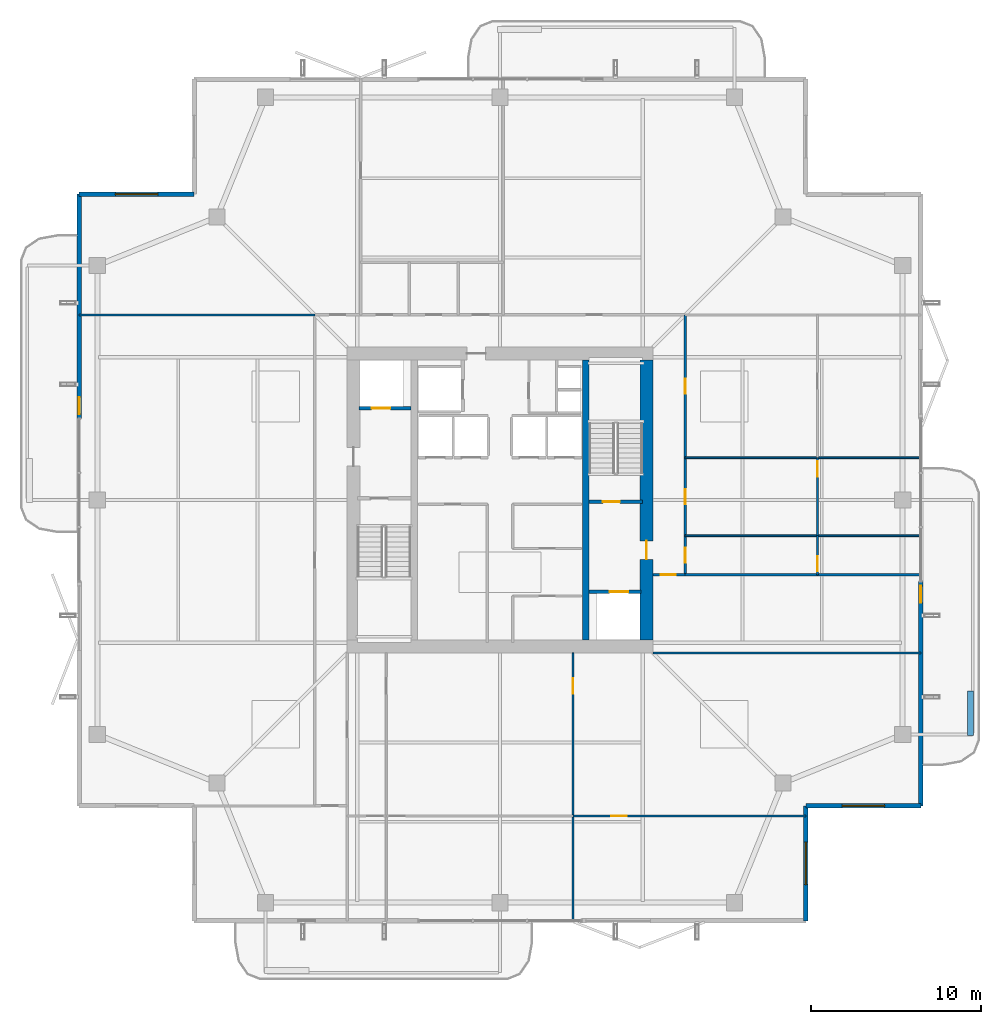
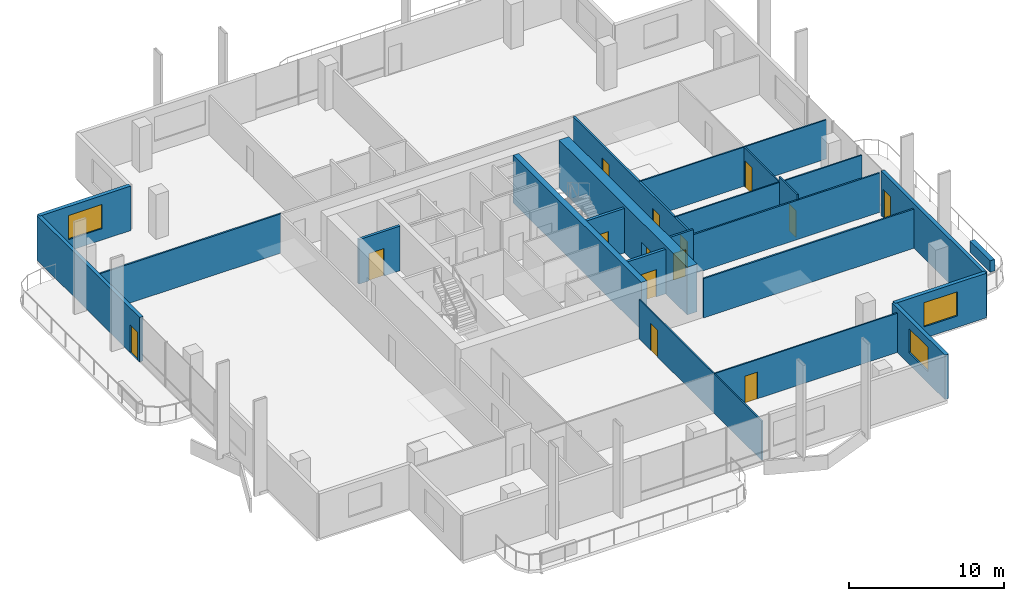
# One storey, part 19 of 25: 22 walls, 14 doors, 3 windows, 17 openings.
"""IFC4 building model written with IfcOpenShell, lengths in metres."""

import ifcopenshell
import ifcopenshell.guid

model = None  # the IFC model being written
_history = None  # IfcOwnerHistory: only IFC2X3 demands one
_inside = {}  # id of a spatial element -> (the spatial element, [elements in it])
_under = {}  # id of a project, library or spatial element -> (it, [spatial elements below it])
_declared = {}  # id of a project -> (the project, [libraries it declares])
_typed = {}  # id of a type object -> (the type object, [elements of that type])
_made_of = {}  # id of a material, layer set ... -> (it, [elements and type objects made of it])


def new_model(schema):
    """Start an empty IFC model of exactly this schema.

    Asked for "IFC4X3", IfcOpenShell would pick the latest addendum, in which some entities
    have other attributes; the version numbers below select the first issue.
    IFC2X3 requires an IfcOwnerHistory on every rooted entity: one is made here for all.
    """
    global model, _history
    if schema == "IFC4X3":
        model = ifcopenshell.file(schema_version=(4, 3, 0, 0))
    else:
        model = ifcopenshell.file(schema=schema)
    _inside.clear()
    _under.clear()
    _declared.clear()
    _typed.clear()
    _made_of.clear()
    _history = None
    if model.schema == "IFC2X3":
        org = make("IfcOrganization", Name="unknown")
        user = make(
            "IfcPersonAndOrganization",
            ThePerson=make("IfcPerson", FamilyName="unknown"),
            TheOrganization=org,
        )
        app = make(
            "IfcApplication",
            ApplicationDeveloper=org,
            Version="unknown",
            ApplicationFullName="unknown",
            ApplicationIdentifier="unknown",
        )
        _history = make(
            "IfcOwnerHistory",
            OwningUser=user,
            OwningApplication=app,
            ChangeAction="ADDED",
            CreationDate=0,
        )
    return model


def make(cls, **values):
    """One entity of the class cls with the attributes given. An attribute that is None is left unset."""
    return model.create_entity(
        cls, **{name: value for name, value in values.items() if value is not None}
    )


def rooted(cls, **values):
    """An entity with a GlobalId (a new one), such as an element, a storey or a relation."""
    return make(cls, GlobalId=ifcopenshell.guid.new(), OwnerHistory=_history, **values)


def si_unit(unit_type, name, prefix=None):
    """IfcSIUnit, for example si_unit("LENGTHUNIT", "METRE", prefix="MILLI")."""
    return make("IfcSIUnit", UnitType=unit_type, Prefix=prefix, Name=name)


def assignment(units):
    """IfcUnitAssignment: the units of a project."""
    return None if units is None else make("IfcUnitAssignment", Units=units)


def point(xyz):
    """IfcCartesianPoint."""
    return None if xyz is None else make("IfcCartesianPoint", Coordinates=xyz)


def direction(xyz):
    """IfcDirection."""
    return None if xyz is None else make("IfcDirection", DirectionRatios=xyz)


def frame(location, z_axis=None, x_axis=None):
    """IfcAxis2Placement3D, a coordinate frame: its origin and axes. An axis left out is left unset."""
    return make(
        "IfcAxis2Placement3D",
        Location=point(location),
        Axis=direction(z_axis),
        RefDirection=direction(x_axis),
    )


def frame_2d(location, x_axis=None):
    """IfcAxis2Placement2D, a coordinate frame in the plane: its origin and x axis."""
    return make(
        "IfcAxis2Placement2D", Location=point(location), RefDirection=direction(x_axis)
    )


def origin():
    """The frame at (0, 0, 0) with its axes left unset."""
    return frame((0.0, 0.0, 0.0))


def place(relative_to, where):
    """IfcLocalPlacement: puts the frame where relative to a parent placement (None: the world)."""
    return make(
        "IfcLocalPlacement", PlacementRelTo=relative_to, RelativePlacement=where
    )


def context(
    kind, dimensions, precision=None, world=None, true_north=None, identifier=None
):
    """IfcGeometricRepresentationContext, for example the 3D "Model" context."""
    return make(
        "IfcGeometricRepresentationContext",
        ContextIdentifier=identifier,
        ContextType=kind,
        CoordinateSpaceDimension=dimensions,
        Precision=precision,
        WorldCoordinateSystem=world,
        TrueNorth=true_north,
    )


def subcontext(parent, identifier, kind, view, scale=None):
    """IfcGeometricRepresentationSubContext, for example "Body" below "Model"."""
    return make(
        "IfcGeometricRepresentationSubContext",
        ContextIdentifier=identifier,
        ContextType=kind,
        ParentContext=parent,
        TargetScale=scale,
        TargetView=view,
    )


def project(units=None, contexts=None):
    """IfcProject with its units and contexts."""
    return rooted(
        "IfcProject",
        Name="project",
        RepresentationContexts=contexts,
        UnitsInContext=assignment(units),
    )


def spatial(cls, under=None, at=None, **own):
    """A site, building, storey or space (cls), placed at a placement, below another one or the project."""
    s = rooted(cls, ObjectPlacement=at, **own)
    if under is not None:
        _under.setdefault(under.id(), (under, []))[1].append(s)
    return s


def profile(cls, at=None, kind="AREA", **sizes):
    """A parametric profile (cls). Its sizes go by their IFC names, for example OverallWidth=200.0."""
    return make(cls, ProfileType=kind, Position=at, **sizes)


def rectangle(**sizes):
    """IfcRectangleProfileDef."""
    return profile("IfcRectangleProfileDef", **sizes)


def extrude(swept, where, along, depth):
    """IfcExtrudedAreaSolid: the profile swept, set in the frame where, extruded along a direction by depth."""
    return make(
        "IfcExtrudedAreaSolid",
        SweptArea=swept,
        Position=where,
        ExtrudedDirection=direction(along),
        Depth=depth,
    )


def shape(context_of_items, identifier, shape_type, items):
    """IfcShapeRepresentation: the items that make up one representation, for example the "Body"."""
    return make(
        "IfcShapeRepresentation",
        ContextOfItems=context_of_items,
        RepresentationIdentifier=identifier,
        RepresentationType=shape_type,
        Items=items,
    )


def material(Name=None, Category=None):
    """IfcMaterial."""
    return make("IfcMaterial", Name=Name, Category=Category)


def layer(
    of_material, thickness, ventilated=None, Name=None, Category=None, Priority=None
):
    """IfcMaterialLayer: one layer of a wall or slab, of a material (None: an air gap)."""
    return make(
        "IfcMaterialLayer",
        Material=of_material,
        LayerThickness=thickness,
        IsVentilated=ventilated,
        Name=Name,
        Category=Category,
        Priority=Priority,
    )


def layer_set(layers, Name=None):
    """IfcMaterialLayerSet."""
    return make("IfcMaterialLayerSet", MaterialLayers=layers, LayerSetName=Name)


def made_of(thing, what):
    """Note that an element or type object is made of a material, layer set ...; save() writes the relation."""
    if what is not None:
        _made_of.setdefault(what.id(), (what, []))[1].append(thing)
    return thing


def type_object(cls, material=None, **own):
    """A type object (cls), such as IfcWallType, which elements share."""
    return made_of(rooted(cls, **own), material)


def element(
    cls,
    number,
    at=None,
    inside=None,
    cuts=None,
    type_object=None,
    material=None,
    context=None,
    identifier="Body",
    shape_type=None,
    held_by="IfcProductDefinitionShape",
    body=None,
    shapes=None,
    **own,
):
    """One element of the class cls, such as IfcWall. Its Tag is "e" and its number.

    at: its placement. inside: the storey or other place that contains it. cuts: it is an
    opening in that element (IfcRelVoidsElement). A single representation is given by context,
    identifier, shape_type and body (its items); several are given by shapes. held_by: the class
    of the entity that holds the representations. save() writes the other relations.
    """
    e = rooted(cls, Tag="e%d" % number, ObjectPlacement=at, **own)
    if body is not None:
        shapes = [shape(context, identifier, shape_type, body)]
    if shapes is not None:
        e.Representation = make(held_by, Representations=shapes)
    if inside is not None:
        _inside.setdefault(inside.id(), (inside, []))[1].append(e)
    if cuts is not None:
        rooted(
            "IfcRelVoidsElement", RelatingBuildingElement=cuts, RelatedOpeningElement=e
        )
    if type_object is not None:
        _typed.setdefault(type_object.id(), (type_object, []))[1].append(e)
    return made_of(e, material)


def fill(opening, filler):
    """IfcRelFillsElement: the door or window that sits in an opening."""
    return rooted(
        "IfcRelFillsElement",
        RelatingOpeningElement=opening,
        RelatedBuildingElement=filler,
    )


def aggregate(whole, parts):
    """IfcRelAggregates: a whole, such as a stair, and the parts it consists of."""
    return rooted("IfcRelAggregates", RelatingObject=whole, RelatedObjects=parts)


def save(model, path):
    """Write the relations noted so far, then the file.

    IfcRelAggregates (storeys below a building ...), IfcRelContainedInSpatialStructure (elements
    in a storey), IfcRelDefinesByType, IfcRelAssociatesMaterial and IfcRelDeclares: one each for
    every whole, place, type object, material and project.
    """
    for whole, parts in _under.values():
        aggregate(whole, parts)
    for where, things in _inside.values():
        rooted(
            "IfcRelContainedInSpatialStructure",
            RelatedElements=things,
            RelatingStructure=where,
        )
    for kind, things in _typed.values():
        rooted("IfcRelDefinesByType", RelatedObjects=things, RelatingType=kind)
    for what, things in _made_of.values():
        rooted("IfcRelAssociatesMaterial", RelatedObjects=things, RelatingMaterial=what)
    for by, libraries in _declared.values():
        rooted("IfcRelDeclares", RelatingContext=by, RelatedDefinitions=libraries)
    model.write(path)


model = new_model("IFC4")

# Units and contexts
model_context = context("Model", 3, precision=1e-05, world=origin(), true_north=direction((0.0, 1.0)))
body_context = subcontext(model_context, "Body", "Model", "MODEL_VIEW")
ifc_project = project(units=[si_unit("LENGTHUNIT", "METRE"), si_unit("AREAUNIT", "SQUARE_METRE"), si_unit("VOLUMEUNIT", "CUBIC_METRE"), si_unit("PLANEANGLEUNIT", "RADIAN"), si_unit("MASSUNIT", "GRAM", prefix="KILO")], contexts=[model_context])

# Site, building, storey
site_placement = place(None, origin())
site = spatial("IfcSite", under=ifc_project, at=site_placement, CompositionType="ELEMENT")
building_placement = place(site_placement, origin())
building = spatial("IfcBuilding", under=site, at=building_placement, Name="Belovzor Exchange Tower", CompositionType="ELEMENT")
storey_placement = place(building_placement, frame((0.0, 0.0, 265.35009765625)))
storey = spatial("IfcBuildingStorey", under=building, at=storey_placement, Name="L66", CompositionType="ELEMENT", Elevation=265.35009765625)

# Walls
ifc_material_1 = material(Name="Acoustic Plasterboard on Galvanised Studs", Category="gypsum")
ifc_layer_1 = layer(ifc_material_1, 0.1201171875)
ifc_layer_set_1 = layer_set([ifc_layer_1], Name="Acoustic Plasterboard on Galvanised Studs")
wall_type_1 = type_object("IfcWallType", Name="Acoustic Double-Stud Partition Wall 120", PredefinedType="PARTITIONING", material=ifc_layer_set_1)
wall_1_placement = place(storey_placement, frame((37.800048828125, 19.800048828125, 0.0), z_axis=(0.0, 0.0, 1.0), x_axis=(1.0, 0.0, 0.0)))
element("IfcWall", 1, at=wall_1_placement, inside=storey, type_object=wall_type_1, Name="W-P120 Partition Wall W-L66-ESS", PredefinedType="PARTITIONING", context=body_context, shape_type="SweptSolid", body=[
    extrude(rectangle(XDim=15.77001953125, YDim=0.1201171875, at=frame_2d((7.885009765625, 0.0))), origin(), (0.0, 0.0, 1.0), 3.0849609375),
])
wall_2_placement = place(storey_placement, frame((39.699951171875, 24.39990234375, 0.0), z_axis=(0.0, 0.0, 1.0), x_axis=(1.0, 0.0, 0.0)))
element("IfcWall", 2, at=wall_2_placement, inside=storey, type_object=wall_type_1, Name="W-P120 Partition Wall W-L66-ESN", PredefinedType="PARTITIONING", context=body_context, shape_type="SweptSolid", body=[
    extrude(rectangle(XDim=13.8701171875, YDim=0.1201171875, at=frame_2d((6.93505859375, 0.0))), origin(), (0.0, 0.0, 1.0), 3.0849609375),
])
wall_3_placement = place(storey_placement, frame((4.030029296875, 39.699951171875, 0.0), z_axis=(0.0, 0.0, 1.0), x_axis=(1.0, 0.0, 0.0)))
element("IfcWall", 3, at=wall_3_placement, inside=storey, type_object=wall_type_1, Name="W-P120 Partition Wall W-L66-END-NW", PredefinedType="PARTITIONING", context=body_context, shape_type="SweptSolid", body=[
    extrude(rectangle(XDim=13.869873046875, YDim=0.1201171875, at=frame_2d((6.93505859375, 0.0))), origin(), (0.0, 0.0, 1.0), 3.0849609375),
])

# Wall, opening, door
ifc_material_2 = material(Name="Acoustic Laminated Glass and Aluminium", Category="aluminium")
ifc_layer_2 = layer(ifc_material_2, 0.10009765625)
ifc_layer_set_2 = layer_set([ifc_layer_2], Name="Acoustic Laminated Glass and Aluminium")
wall_type_2 = type_object("IfcWallType", Name="Demountable Executive Glass Partition 100", PredefinedType="MOVABLE", material=ifc_layer_set_2)
wall_4_placement = place(storey_placement, frame((33.092041015625, 4.030029296875, 0.0), z_axis=(0.0, 0.0, 1.0), x_axis=(0.0, 1.0, 0.0)))
wall_4 = element("IfcWall", 4, at=wall_4_placement, inside=storey, type_object=wall_type_2, Name="W-M100 Partition Wall W-L66-SDIV-2", PredefinedType="MOVABLE", context=body_context, shape_type="SweptSolid", body=[
    extrude(rectangle(XDim=15.77001953125, YDim=0.10009765625, at=frame_2d((7.885009765625, 0.0))), origin(), (0.0, 0.0, 1.0), 3.0849609375),
])
opening_1_placement = place(wall_4_placement, frame((13.3701171875, 0.0, 0.0)))
opening_1 = element("IfcOpeningElement", 5, at=opening_1_placement, cuts=wall_4, Name="Opening D-INT-090", PredefinedType="OPENING", context=body_context, shape_type="SweptSolid", body=[
    extrude(rectangle(XDim=0.89990234375, YDim=2.10009765625, at=frame_2d((0.449951171875, 1.050048828125))), frame((0.0, 0.06005859375, 0.0), z_axis=(0.0, -1.0, 0.0), x_axis=(1.0, 0.0, 0.0)), (0.0, 0.0, 1.0), 0.1201171875),
])
ifc_material_3 = material(Name="Veneered Hardwood Acoustic Leaf", Category="wood")
door_type_1 = type_object("IfcDoorType", Name="Trading Suite Acoustic Single Door 900x2100", OperationType="NOTDEFINED", PredefinedType="DOOR", material=ifc_material_3)
door_1_placement = place(opening_1_placement, origin())
door_1 = element("IfcDoor", 6, at=door_1_placement, inside=storey, type_object=door_type_1, Name="D-INT-090 Trading Suite Acoustic Single Door 900x2100", OperationType="SINGLE_SWING_LEFT", OverallHeight=2.10009765625, OverallWidth=0.89990234375, PredefinedType="DOOR", context=body_context, shape_type="SweptSolid", body=[
    extrude(rectangle(XDim=0.89990234375, YDim=2.10009765625, at=frame_2d((0.449951171875, 1.050048828125))), frame((0.0, 0.02490234375, 0.0), z_axis=(0.0, -1.0, 0.0), x_axis=(1.0, 0.0, 0.0)), (0.0, 0.0, 1.0), 0.050048828125),
])
fill(opening_1, door_1)

wall_5_placement = place(storey_placement, frame((33.092041015625, 10.200927734375, 0.0), z_axis=(0.0, 0.0, 1.0), x_axis=(1.0, 0.0, 0.0)))
wall_5 = element("IfcWall", 7, at=wall_5_placement, inside=storey, type_object=wall_type_2, Name="W-M100 Partition Wall W-L66-SHDIV-2", PredefinedType="MOVABLE", context=body_context, shape_type="SweptSolid", body=[
    extrude(rectangle(XDim=13.7080078125, YDim=0.10009765625, at=frame_2d((6.85400390625, 0.0))), origin(), (0.0, 0.0, 1.0), 3.0849609375),
])
opening_2_placement = place(wall_5_placement, frame((2.26806640625, 0.0, 0.0)))
opening_2 = element("IfcOpeningElement", 8, at=opening_2_placement, cuts=wall_5, Name="Opening D-INT-090", PredefinedType="OPENING", context=body_context, shape_type="SweptSolid", body=[
    extrude(rectangle(XDim=0.89990234375, YDim=2.10009765625, at=frame_2d((0.449951171875, 1.050048828125))), frame((0.0, 0.06005859375, 0.0), z_axis=(0.0, -1.0, 0.0), x_axis=(1.0, 0.0, 0.0)), (0.0, 0.0, 1.0), 0.1201171875),
])
door_2_placement = place(opening_2_placement, origin())
door_2 = element("IfcDoor", 9, at=door_2_placement, inside=storey, type_object=door_type_1, Name="D-INT-090 Trading Suite Acoustic Single Door 900x2100", OperationType="SINGLE_SWING_LEFT", OverallHeight=2.10009765625, OverallWidth=0.89990234375, PredefinedType="DOOR", context=body_context, shape_type="SweptSolid", body=[
    extrude(rectangle(XDim=0.89990234375, YDim=2.10009765625, at=frame_2d((0.449951171875, 1.050048828125))), frame((0.0, 0.02490234375, 0.0), z_axis=(0.0, -1.0, 0.0), x_axis=(1.0, 0.0, 0.0)), (0.0, 0.0, 1.0), 0.050048828125),
])
fill(opening_2, door_2)

wall_6_placement = place(storey_placement, frame((47.485107421875, 24.39990234375, 0.0), z_axis=(0.0, 0.0, 1.0), x_axis=(0.0, 1.0, 0.0)))
wall_6 = element("IfcWall", 10, at=wall_6_placement, inside=storey, type_object=wall_type_2, Name="W-M100 Partition Wall W-L66-EHDIV-0", PredefinedType="MOVABLE", context=body_context, shape_type="SweptSolid", body=[
    extrude(rectangle(XDim=2.300048828125, YDim=0.10009765625, at=frame_2d((1.14990234375, 0.0))), origin(), (0.0, 0.0, 1.0), 3.5),
])
opening_3_placement = place(wall_6_placement, frame((0.199951171875, 0.0, 0.0)))
opening_3 = element("IfcOpeningElement", 11, at=opening_3_placement, cuts=wall_6, Name="Opening D-INT-090", PredefinedType="OPENING", context=body_context, shape_type="SweptSolid", body=[
    extrude(rectangle(XDim=0.89990234375, YDim=2.10009765625, at=frame_2d((0.449951171875, 1.050048828125))), frame((0.0, 0.06005859375, 0.0), z_axis=(0.0, -1.0, 0.0), x_axis=(1.0, 0.0, 0.0)), (0.0, 0.0, 1.0), 0.1201171875),
])
door_3_placement = place(opening_3_placement, origin())
door_3 = element("IfcDoor", 12, at=door_3_placement, inside=storey, type_object=door_type_1, Name="D-INT-090 Trading Suite Acoustic Single Door 900x2100", OperationType="SINGLE_SWING_RIGHT", OverallHeight=2.10009765625, OverallWidth=0.89990234375, PredefinedType="DOOR", context=body_context, shape_type="SweptSolid", body=[
    extrude(rectangle(XDim=0.89990234375, YDim=2.10009765625, at=frame_2d((0.449951171875, 1.050048828125))), frame((0.0, 0.02490234375, 0.0), z_axis=(0.0, -1.0, 0.0), x_axis=(1.0, 0.0, 0.0)), (0.0, 0.0, 1.0), 0.050048828125),
])
fill(opening_3, door_3)

# Wall
wall_7_placement = place(storey_placement, frame((39.699951171875, 26.699951171875, 0.0), z_axis=(0.0, 0.0, 1.0), x_axis=(1.0, 0.0, 0.0)))
element("IfcWall", 13, at=wall_7_placement, inside=storey, type_object=wall_type_2, Name="W-M100 Partition Wall W-L66-EDIV-1", PredefinedType="MOVABLE", context=body_context, shape_type="SweptSolid", body=[
    extrude(rectangle(XDim=13.8701171875, YDim=0.10009765625, at=frame_2d((6.93505859375, 0.0))), origin(), (0.0, 0.0, 1.0), 3.0849609375),
])

# Wall, opening, door
wall_8_placement = place(storey_placement, frame((47.485107421875, 26.699951171875, 0.0), z_axis=(0.0, 0.0, 1.0), x_axis=(0.0, 1.0, 0.0)))
wall_8 = element("IfcWall", 14, at=wall_8_placement, inside=storey, type_object=wall_type_2, Name="W-M100 Partition Wall W-L66-EHDIV-1", PredefinedType="MOVABLE", context=body_context, shape_type="SweptSolid", body=[
    extrude(rectangle(XDim=4.58203125, YDim=0.10009765625, at=frame_2d((2.291015625, 0.0))), origin(), (0.0, 0.0, 1.0), 3.0849609375),
])
opening_4_placement = place(wall_8_placement, frame((3.48193359375, 0.0, 0.0)))
opening_4 = element("IfcOpeningElement", 15, at=opening_4_placement, cuts=wall_8, Name="Opening D-INT-090", PredefinedType="OPENING", context=body_context, shape_type="SweptSolid", body=[
    extrude(rectangle(XDim=0.89990234375, YDim=2.10009765625, at=frame_2d((0.449951171875, 1.050048828125))), frame((0.0, 0.06005859375, 0.0), z_axis=(0.0, -1.0, 0.0), x_axis=(1.0, 0.0, 0.0)), (0.0, 0.0, 1.0), 0.1201171875),
])
door_4_placement = place(opening_4_placement, origin())
door_4 = element("IfcDoor", 16, at=door_4_placement, inside=storey, type_object=door_type_1, Name="D-INT-090 Trading Suite Acoustic Single Door 900x2100", OperationType="SINGLE_SWING_RIGHT", OverallHeight=2.10009765625, OverallWidth=0.89990234375, PredefinedType="DOOR", context=body_context, shape_type="SweptSolid", body=[
    extrude(rectangle(XDim=0.89990234375, YDim=2.10009765625, at=frame_2d((0.449951171875, 1.050048828125))), frame((0.0, 0.02490234375, 0.0), z_axis=(0.0, -1.0, 0.0), x_axis=(1.0, 0.0, 0.0)), (0.0, 0.0, 1.0), 0.050048828125),
])
fill(opening_4, door_4)

# Wall
wall_9_placement = place(storey_placement, frame((39.699951171875, 31.281982421875, 0.0), z_axis=(0.0, 0.0, 1.0), x_axis=(1.0, 0.0, 0.0)))
element("IfcWall", 17, at=wall_9_placement, inside=storey, type_object=wall_type_2, Name="W-M100 Partition Wall W-L66-EDIV-2", PredefinedType="MOVABLE", context=body_context, shape_type="SweptSolid", body=[
    extrude(rectangle(XDim=13.8701171875, YDim=0.10009765625, at=frame_2d((6.93505859375, 0.0))), origin(), (0.0, 0.0, 1.0), 3.0849609375),
])

# Wall, opening, door
ifc_material_4 = material(Name="Fire-Rated Gypsum Block and Mineral Wool", Category="gypsum")
ifc_layer_3 = layer(ifc_material_4, 0.14990234375)
ifc_layer_set_3 = layer_set([ifc_layer_3], Name="Fire-Rated Gypsum Block and Mineral Wool")
wall_type_3 = type_object("IfcWallType", Name="Fire-Rated Gypsum Block Corridor Wall 150", PredefinedType="PARTITIONING", material=ifc_layer_set_3)
wall_10_placement = place(storey_placement, frame((37.800048828125, 24.39990234375, 0.0), z_axis=(0.0, 0.0, 1.0), x_axis=(1.0, 0.0, 0.0)))
wall_10 = element("IfcWall", 18, at=wall_10_placement, inside=storey, type_object=wall_type_3, Name="W-P150 Partition Wall W-L66-CE-END", PredefinedType="PARTITIONING", context=body_context, shape_type="SweptSolid", body=[
    extrude(rectangle(XDim=1.89990234375, YDim=0.14990234375, at=frame_2d((0.949951171875, 0.0))), origin(), (0.0, 0.0, 1.0), 3.5),
])
opening_5_placement = place(wall_10_placement, frame((0.449951171875, 0.0, 0.0)))
opening_5 = element("IfcOpeningElement", 19, at=opening_5_placement, cuts=wall_10, Name="Opening D-FD60-090", PredefinedType="OPENING", context=body_context, shape_type="SweptSolid", body=[
    extrude(rectangle(XDim=0.89990234375, YDim=2.10009765625, at=frame_2d((0.449951171875, 1.050048828125))), frame((0.0, 0.0849609375, 0.0), z_axis=(0.0, -1.0, 0.0), x_axis=(1.0, 0.0, 0.0)), (0.0, 0.0, 1.0), 0.169921875),
])
ifc_material_5 = material(Name="Acoustic Timber Fire Leaf", Category="wood")
door_type_2 = type_object("IfcDoorType", Name="Core Service & Restroom Fire Door 900x2100", OperationType="NOTDEFINED", PredefinedType="DOOR", material=ifc_material_5)
door_5_placement = place(opening_5_placement, origin())
door_5 = element("IfcDoor", 20, at=door_5_placement, inside=storey, type_object=door_type_2, Name="D-FD60-090 Core Service & Restroom Fire Door 900x2100", OperationType="SINGLE_SWING_LEFT", OverallHeight=2.10009765625, OverallWidth=0.89990234375, PredefinedType="DOOR", context=body_context, shape_type="SweptSolid", body=[
    extrude(rectangle(XDim=0.89990234375, YDim=2.10009765625, at=frame_2d((0.449951171875, 1.050048828125))), frame((0.0, 0.02490234375, 0.0), z_axis=(0.0, -1.0, 0.0), x_axis=(1.0, 0.0, 0.0)), (0.0, 0.0, 1.0), 0.050048828125),
])
fill(opening_5, door_5)

# Wall, openings, doors
wall_11_placement = place(storey_placement, frame((39.699951171875, 24.39990234375, 0.0), z_axis=(0.0, 0.0, 1.0), x_axis=(0.0, 1.0, 0.0)))
wall_11 = element("IfcWall", 21, at=wall_11_placement, inside=storey, type_object=wall_type_3, Name="W-P150 Partition Wall W-L66-CE", PredefinedType="PARTITIONING", context=body_context, shape_type="SweptSolid", body=[
    extrude(rectangle(XDim=15.300048828125, YDim=0.14990234375, at=frame_2d((7.64990234375, 0.0))), origin(), (0.0, 0.0, 1.0), 3.0849609375),
])
opening_6_placement = place(wall_11_placement, frame((0.699951171875, 0.0, 0.0)))
opening_6 = element("IfcOpeningElement", 22, at=opening_6_placement, cuts=wall_11, Name="Opening D-INT-090", PredefinedType="OPENING", context=body_context, shape_type="SweptSolid", body=[
    extrude(rectangle(XDim=0.89990234375, YDim=2.10009765625, at=frame_2d((0.449951171875, 1.050048828125))), frame((0.0, 0.0849609375, 0.0), z_axis=(0.0, -1.0, 0.0), x_axis=(1.0, 0.0, 0.0)), (0.0, 0.0, 1.0), 0.169921875),
])
opening_7_placement = place(wall_11_placement, frame((4.14111328125, 0.0, 0.0)))
opening_7 = element("IfcOpeningElement", 23, at=opening_7_placement, cuts=wall_11, Name="Opening D-INT-090", PredefinedType="OPENING", context=body_context, shape_type="SweptSolid", body=[
    extrude(rectangle(XDim=0.89990234375, YDim=2.10009765625, at=frame_2d((0.449951171875, 1.050048828125))), frame((0.0, 0.0849609375, 0.0), z_axis=(0.0, -1.0, 0.0), x_axis=(1.0, 0.0, 0.0)), (0.0, 0.0, 1.0), 0.169921875),
])
opening_8_placement = place(wall_11_placement, frame((10.64111328125, 0.0, 0.0)))
opening_8 = element("IfcOpeningElement", 24, at=opening_8_placement, cuts=wall_11, Name="Opening D-INT-090", PredefinedType="OPENING", context=body_context, shape_type="SweptSolid", body=[
    extrude(rectangle(XDim=0.89990234375, YDim=2.10009765625, at=frame_2d((0.449951171875, 1.050048828125))), frame((0.0, 0.0849609375, 0.0), z_axis=(0.0, -1.0, 0.0), x_axis=(1.0, 0.0, 0.0)), (0.0, 0.0, 1.0), 0.169921875),
])
door_6_placement = place(opening_6_placement, origin())
door_6 = element("IfcDoor", 25, at=door_6_placement, inside=storey, type_object=door_type_1, Name="D-INT-090 Trading Suite Acoustic Single Door 900x2100", OperationType="SINGLE_SWING_RIGHT", OverallHeight=2.10009765625, OverallWidth=0.89990234375, PredefinedType="DOOR", context=body_context, shape_type="SweptSolid", body=[
    extrude(rectangle(XDim=0.89990234375, YDim=2.10009765625, at=frame_2d((0.449951171875, 1.050048828125))), frame((0.0, 0.02490234375, 0.0), z_axis=(0.0, -1.0, 0.0), x_axis=(1.0, 0.0, 0.0)), (0.0, 0.0, 1.0), 0.050048828125),
])
fill(opening_6, door_6)
door_7_placement = place(opening_7_placement, origin())
door_7 = element("IfcDoor", 26, at=door_7_placement, inside=storey, type_object=door_type_1, Name="D-INT-090 Trading Suite Acoustic Single Door 900x2100", OperationType="SINGLE_SWING_LEFT", OverallHeight=2.10009765625, OverallWidth=0.89990234375, PredefinedType="DOOR", context=body_context, shape_type="SweptSolid", body=[
    extrude(rectangle(XDim=0.89990234375, YDim=2.10009765625, at=frame_2d((0.449951171875, 1.050048828125))), frame((0.0, 0.02490234375, 0.0), z_axis=(0.0, -1.0, 0.0), x_axis=(1.0, 0.0, 0.0)), (0.0, 0.0, 1.0), 0.050048828125),
])
fill(opening_7, door_7)
door_8_placement = place(opening_8_placement, origin())
door_8 = element("IfcDoor", 27, at=door_8_placement, inside=storey, type_object=door_type_1, Name="D-INT-090 Trading Suite Acoustic Single Door 900x2100", OperationType="SINGLE_SWING_RIGHT", OverallHeight=2.10009765625, OverallWidth=0.89990234375, PredefinedType="DOOR", context=body_context, shape_type="SweptSolid", body=[
    extrude(rectangle(XDim=0.89990234375, YDim=2.10009765625, at=frame_2d((0.449951171875, 1.050048828125))), frame((0.0, 0.02490234375, 0.0), z_axis=(0.0, -1.0, 0.0), x_axis=(1.0, 0.0, 0.0)), (0.0, 0.0, 1.0), 0.050048828125),
])
fill(opening_8, door_8)

# Wall, opening, window
ifc_material_6 = material(Name="Precast concrete C40/50", Category="concrete")
ifc_layer_4 = layer(ifc_material_6, 0.280029296875)
ifc_layer_set_4 = layer_set([ifc_layer_4], Name="Precast concrete C40/50")
wall_type_4 = type_object("IfcWallType", Name="Precast Concrete Notched Corner Frame Wall 280", PredefinedType="SOLIDWALL", material=ifc_layer_set_4)
wall_12_placement = place(storey_placement, frame((4.030029296875, 46.800048828125, 0.0), z_axis=(0.0, 0.0, 1.0), x_axis=(1.0, 0.0, 0.0)))
wall_12 = element("IfcWall", 28, at=wall_12_placement, inside=storey, type_object=wall_type_4, Name="W-CRN280 Precast Concrete Notched Corner Frame Wall 280 L66", PredefinedType="SOLIDWALL", context=body_context, shape_type="SweptSolid", body=[
    extrude(rectangle(XDim=6.77001953125, YDim=0.280029296875, at=frame_2d((3.385009765625, 0.0))), origin(), (0.0, 0.0, 1.0), 3.5),
])
opening_9_placement = place(wall_12_placement, frame((2.135009765625, 0.0, 0.89990234375)))
opening_9 = element("IfcOpeningElement", 29, at=opening_9_placement, cuts=wall_12, Name="Opening WN-CRN250", PredefinedType="OPENING", context=body_context, shape_type="SweptSolid", body=[
    extrude(rectangle(XDim=2.5, YDim=1.89990234375, at=frame_2d((1.25, 0.949951171875))), frame((0.0, 0.14990234375, 0.0), z_axis=(0.0, -1.0, 0.0), x_axis=(1.0, 0.0, 0.0)), (0.0, 0.0, 1.0), 0.300048828125),
])
ifc_material_7 = material(Name="Thermally Broken Aluminium and Triple Glazing", Category="aluminium")
window_type = type_object("IfcWindowType", Name="Streamline Moderne Corner Wrap Ribbon Window 2500x1900", PartitioningType="SINGLE_PANEL", PredefinedType="WINDOW", material=ifc_material_7)
window_1_placement = place(opening_9_placement, origin())
window_1 = element("IfcWindow", 30, at=window_1_placement, inside=storey, type_object=window_type, Name="WN-CRN250 Streamline Moderne Corner Wrap Ribbon Window 2500x1900", OverallHeight=1.89990234375, OverallWidth=2.5, PartitioningType="SINGLE_PANEL", PredefinedType="WINDOW", context=body_context, shape_type="SweptSolid", body=[
    extrude(rectangle(XDim=2.5, YDim=1.89990234375, at=frame_2d((1.25, 0.949951171875))), frame((0.0, 0.030029296875, 0.0), z_axis=(0.0, -1.0, 0.0), x_axis=(1.0, 0.0, 0.0)), (0.0, 0.0, 1.0), 0.06005859375),
])
fill(opening_9, window_1)

wall_13_placement = place(storey_placement, frame((53.570068359375, 10.800048828125, 0.0), z_axis=(0.0, 0.0, 1.0), x_axis=(-1.0, 0.0, 0.0)))
wall_13 = element("IfcWall", 31, at=wall_13_placement, inside=storey, type_object=wall_type_4, Name="W-CRN280 Precast Concrete Notched Corner Frame Wall 280 L66", PredefinedType="SOLIDWALL", context=body_context, shape_type="SweptSolid", body=[
    extrude(rectangle(XDim=6.77001953125, YDim=0.280029296875, at=frame_2d((3.385009765625, 0.0))), origin(), (0.0, 0.0, 1.0), 3.5),
])
opening_10_placement = place(wall_13_placement, frame((2.135009765625, 0.0, 0.89990234375)))
opening_10 = element("IfcOpeningElement", 32, at=opening_10_placement, cuts=wall_13, Name="Opening WN-CRN250", PredefinedType="OPENING", context=body_context, shape_type="SweptSolid", body=[
    extrude(rectangle(XDim=2.5, YDim=1.89990234375, at=frame_2d((1.25, 0.949951171875))), frame((0.0, 0.14990234375, 0.0), z_axis=(0.0, -1.0, 0.0), x_axis=(1.0, 0.0, 0.0)), (0.0, 0.0, 1.0), 0.300048828125),
])
window_2_placement = place(opening_10_placement, origin())
window_2 = element("IfcWindow", 33, at=window_2_placement, inside=storey, type_object=window_type, Name="WN-CRN250 Streamline Moderne Corner Wrap Ribbon Window 2500x1900", OverallHeight=1.89990234375, OverallWidth=2.5, PartitioningType="SINGLE_PANEL", PredefinedType="WINDOW", context=body_context, shape_type="SweptSolid", body=[
    extrude(rectangle(XDim=2.5, YDim=1.89990234375, at=frame_2d((1.25, 0.949951171875))), frame((0.0, 0.030029296875, 0.0), z_axis=(0.0, -1.0, 0.0), x_axis=(1.0, 0.0, 0.0)), (0.0, 0.0, 1.0), 0.06005859375),
])
fill(opening_10, window_2)

wall_14_placement = place(storey_placement, frame((46.800048828125, 10.800048828125, 0.0), z_axis=(0.0, 0.0, 1.0), x_axis=(0.0, -1.0, 0.0)))
wall_14 = element("IfcWall", 34, at=wall_14_placement, inside=storey, type_object=wall_type_4, Name="W-CRN280 Precast Concrete Notched Corner Frame Wall 280 L66", PredefinedType="SOLIDWALL", context=body_context, shape_type="SweptSolid", body=[
    extrude(rectangle(XDim=6.77001953125, YDim=0.280029296875, at=frame_2d((3.385009765625, 0.0))), origin(), (0.0, 0.0, 1.0), 3.5),
])
opening_11_placement = place(wall_14_placement, frame((2.135009765625, 0.0, 0.89990234375)))
opening_11 = element("IfcOpeningElement", 35, at=opening_11_placement, cuts=wall_14, Name="Opening WN-CRN250", PredefinedType="OPENING", context=body_context, shape_type="SweptSolid", body=[
    extrude(rectangle(XDim=2.5, YDim=1.89990234375, at=frame_2d((1.25, 0.949951171875))), frame((0.0, 0.14990234375, 0.0), z_axis=(0.0, -1.0, 0.0), x_axis=(1.0, 0.0, 0.0)), (0.0, 0.0, 1.0), 0.300048828125),
])
window_3_placement = place(opening_11_placement, origin())
window_3 = element("IfcWindow", 36, at=window_3_placement, inside=storey, type_object=window_type, Name="WN-CRN250 Streamline Moderne Corner Wrap Ribbon Window 2500x1900", OverallHeight=1.89990234375, OverallWidth=2.5, PartitioningType="SINGLE_PANEL", PredefinedType="WINDOW", context=body_context, shape_type="SweptSolid", body=[
    extrude(rectangle(XDim=2.5, YDim=1.89990234375, at=frame_2d((1.25, 0.949951171875))), frame((0.0, 0.030029296875, 0.0), z_axis=(0.0, -1.0, 0.0), x_axis=(1.0, 0.0, 0.0)), (0.0, 0.0, 1.0), 0.06005859375),
])
fill(opening_11, window_3)

# Wall, opening, door
ifc_material_8 = material(Name="Precast concrete C40/50", Category="concrete")
ifc_layer_5 = layer(ifc_material_8, 0.260009765625)
ifc_layer_set_5 = layer_set([ifc_layer_5], Name="Precast concrete C40/50")
wall_type_5 = type_object("IfcWallType", Name="Precast Concrete Perimeter Loggia Frame Wall 260", PredefinedType="SOLIDWALL", material=ifc_layer_set_5)
wall_15_placement = place(storey_placement, frame((4.030029296875, 33.60009765625, 0.0), z_axis=(0.0, 0.0, 1.0), x_axis=(0.0, 1.0, 0.0)))
wall_15 = element("IfcWall", 37, at=wall_15_placement, inside=storey, type_object=wall_type_5, Name="W-EXT260 Precast Concrete Perimeter Loggia Frame Wall 260 L66", PredefinedType="SOLIDWALL", context=body_context, shape_type="SweptSolid", body=[
    extrude(rectangle(XDim=13.199951171875, YDim=0.260009765625, at=frame_2d((6.60009765625, 0.0))), origin(), (0.0, 0.0, 1.0), 3.5),
])
opening_12_placement = place(wall_15_placement, frame((0.25, 0.0, 0.0)))
opening_12 = element("IfcOpeningElement", 38, at=opening_12_placement, cuts=wall_15, Name="Opening D-BAL100", PredefinedType="OPENING", context=body_context, shape_type="SweptSolid", body=[
    extrude(rectangle(XDim=1.0, YDim=2.199951171875, at=frame_2d((0.5, 1.10009765625))), frame((0.0, 0.139892578125, 0.0), z_axis=(0.0, -1.0, 0.0), x_axis=(1.0, 0.0, 0.0)), (0.0, 0.0, 1.0), 0.280029296875),
])
ifc_material_9 = material(Name="Thermally Broken Anodised Aluminium and Laminated Glass", Category="aluminium")
door_type_3 = type_object("IfcDoorType", Name="Planted Loggia Terrace Glazed Door 1000x2200", OperationType="SINGLE_SWING_LEFT", PredefinedType="DOOR", material=ifc_material_9)
door_9_placement = place(opening_12_placement, origin())
door_9 = element("IfcDoor", 39, at=door_9_placement, inside=storey, type_object=door_type_3, Name="D-BAL100 Balcony Terrace Door L66 W", OperationType="SINGLE_SWING_RIGHT", OverallHeight=2.199951171875, OverallWidth=1.0, PredefinedType="DOOR", context=body_context, shape_type="SweptSolid", body=[
    extrude(rectangle(XDim=1.0, YDim=2.199951171875, at=frame_2d((0.5, 1.10009765625))), frame((0.0, 0.02490234375, 0.0), z_axis=(0.0, -1.0, 0.0), x_axis=(1.0, 0.0, 0.0)), (0.0, 0.0, 1.0), 0.050048828125),
])
fill(opening_12, door_9)

wall_16_placement = place(storey_placement, frame((53.570068359375, 24.0, 0.0), z_axis=(0.0, 0.0, 1.0), x_axis=(0.0, -1.0, 0.0)))
wall_16 = element("IfcWall", 40, at=wall_16_placement, inside=storey, type_object=wall_type_5, Name="W-EXT260 Precast Concrete Perimeter Loggia Frame Wall 260 L66", PredefinedType="SOLIDWALL", context=body_context, shape_type="SweptSolid", body=[
    extrude(rectangle(XDim=13.199951171875, YDim=0.260009765625, at=frame_2d((6.60009765625, 0.0))), origin(), (0.0, 0.0, 1.0), 3.5),
])
opening_13_placement = place(wall_16_placement, frame((0.25, 0.0, 0.0)))
opening_13 = element("IfcOpeningElement", 41, at=opening_13_placement, cuts=wall_16, Name="Opening D-BAL100", PredefinedType="OPENING", context=body_context, shape_type="SweptSolid", body=[
    extrude(rectangle(XDim=1.0, YDim=2.199951171875, at=frame_2d((0.5, 1.10009765625))), frame((0.0, 0.139892578125, 0.0), z_axis=(0.0, -1.0, 0.0), x_axis=(1.0, 0.0, 0.0)), (0.0, 0.0, 1.0), 0.280029296875),
])
door_10_placement = place(opening_13_placement, origin())
door_10 = element("IfcDoor", 42, at=door_10_placement, inside=storey, type_object=door_type_3, Name="D-BAL100 Balcony Terrace Door L66 E", OperationType="SINGLE_SWING_LEFT", OverallHeight=2.199951171875, OverallWidth=1.0, PredefinedType="DOOR", context=body_context, shape_type="SweptSolid", body=[
    extrude(rectangle(XDim=1.0, YDim=2.199951171875, at=frame_2d((0.5, 1.10009765625))), frame((0.0, 0.02490234375, 0.0), z_axis=(0.0, -1.0, 0.0), x_axis=(1.0, 0.0, 0.0)), (0.0, 0.0, 1.0), 0.050048828125),
])
fill(opening_13, door_10)

# Walls
ifc_material_10 = material(Name="Precast concrete C40/50", Category="concrete")
ifc_layer_6 = layer(ifc_material_10, 0.35009765625)
ifc_layer_set_6 = layer_set([ifc_layer_6], Name="Precast concrete C40/50")
wall_type_6 = type_object("IfcWallType", Name="Precast Concrete Structural Tree Planter Trough 350", PredefinedType="PARAPET", material=ifc_layer_set_6)
wall_17_placement = place(storey_placement, frame((56.5, 14.949951171875, 0.0), z_axis=(0.0, 0.0, 1.0), x_axis=(0.0, 1.0, 0.0)))
element("IfcWall", 43, at=wall_17_placement, inside=storey, type_object=wall_type_6, Name="PT-350 Precast Concrete Structural Tree Planter Trough 350 L66", PredefinedType="PARAPET", context=body_context, shape_type="SweptSolid", body=[
    extrude(rectangle(XDim=2.60009765625, YDim=0.35009765625, at=frame_2d((1.300048828125, 0.0))), origin(), (0.0, 0.0, 1.0), 0.89990234375),
])
ifc_material_11 = material(Name="Concrete C50/60", Category="concrete")
ifc_layer_7 = layer(ifc_material_11, 0.39990234375)
ifc_layer_set_7 = layer_set([ifc_layer_7], Name="Concrete C50/60")
wall_type_7 = type_object("IfcWallType", Name="Reinforced Concrete Core Internal Web Wall 400", PredefinedType="SHEAR", material=ifc_layer_set_7)
wall_18_placement = place(storey_placement, frame((33.85009765625, 20.550048828125, 0.0), z_axis=(0.0, 0.0, 1.0), x_axis=(0.0, 1.0, 0.0)))
element("IfcWall", 44, at=wall_18_placement, inside=storey, type_object=wall_type_7, Name="CW-W040 Core Internal Web Wall L66 ER", PredefinedType="SHEAR", context=body_context, shape_type="SweptSolid", body=[
    extrude(rectangle(XDim=16.5, YDim=0.39990234375, at=frame_2d((8.25, 0.0))), origin(), (0.0, 0.0, 1.0), 3.75),
])

# Wall, opening, door
ifc_material_12 = material(Name="Concrete C50/60", Category="concrete")
ifc_layer_8 = layer(ifc_material_12, 0.199951171875)
ifc_layer_set_8 = layer_set([ifc_layer_8], Name="Concrete C50/60")
wall_type_8 = type_object("IfcWallType", Name="Reinforced Concrete Core Shaft Shear Wall 200", PredefinedType="SHEAR", material=ifc_layer_set_8)
wall_19_placement = place(storey_placement, frame((34.050048828125, 28.699951171875, 0.0), z_axis=(0.0, 0.0, 1.0), x_axis=(1.0, 0.0, 0.0)))
wall_19 = element("IfcWall", 45, at=wall_19_placement, inside=storey, type_object=wall_type_8, Name="W-C200S Core Shaft Wall W-CORE-L66-FFLE2", PredefinedType="SHEAR", context=body_context, shape_type="SweptSolid", body=[
    extrude(rectangle(XDim=3.14990234375, YDim=0.199951171875, at=frame_2d((1.574951171875, 0.0))), origin(), (0.0, 0.0, 1.0), 3.5),
])
opening_14_placement = place(wall_19_placement, frame((0.800048828125, 0.0, 0.0)))
opening_14 = element("IfcOpeningElement", 46, at=opening_14_placement, cuts=wall_19, Name="Opening D-FD90-100", PredefinedType="OPENING", context=body_context, shape_type="SweptSolid", body=[
    extrude(rectangle(XDim=1.0, YDim=2.10009765625, at=frame_2d((0.5, 1.050048828125))), frame((0.0, 0.10986328125, 0.0), z_axis=(0.0, -1.0, 0.0), x_axis=(1.0, 0.0, 0.0)), (0.0, 0.0, 1.0), 0.219970703125),
])
ifc_material_13 = material(Name="Fire-Rated Galvanised Steel Leaf", Category="steel")
door_type_4 = type_object("IfcDoorType", Name="Protected Stairwell Single Fire Door 1000x2100", OperationType="NOTDEFINED", PredefinedType="DOOR", material=ifc_material_13)
door_11_placement = place(opening_14_placement, origin())
door_11 = element("IfcDoor", 47, at=door_11_placement, inside=storey, type_object=door_type_4, Name="D-FD90-100 Protected Stairwell Single Fire Door 1000x2100", OperationType="SINGLE_SWING_LEFT", OverallHeight=2.10009765625, OverallWidth=1.0, PredefinedType="DOOR", context=body_context, shape_type="SweptSolid", body=[
    extrude(rectangle(XDim=1.0, YDim=2.10009765625, at=frame_2d((0.5, 1.050048828125))), frame((0.0, 0.02490234375, 0.0), z_axis=(0.0, -1.0, 0.0), x_axis=(1.0, 0.0, 0.0)), (0.0, 0.0, 1.0), 0.050048828125),
])
fill(opening_14, door_11)

wall_20_placement = place(storey_placement, frame((20.5, 34.199951171875, 0.0), z_axis=(0.0, 0.0, 1.0), x_axis=(1.0, 0.0, 0.0)))
wall_20 = element("IfcWall", 48, at=wall_20_placement, inside=storey, type_object=wall_type_8, Name="W-C200S Core Shaft Wall W-SH-L66-FFL-01", PredefinedType="SHEAR", context=body_context, shape_type="SweptSolid", body=[
    extrude(rectangle(XDim=3.050048828125, YDim=0.199951171875, at=frame_2d((1.52490234375, 0.0))), origin(), (0.0, 0.0, 1.0), 3.5),
])
opening_15_placement = place(wall_20_placement, frame((0.75, 0.0, 0.0)))
opening_15 = element("IfcOpeningElement", 49, at=opening_15_placement, cuts=wall_20, Name="Opening LD-110", PredefinedType="OPENING", context=body_context, shape_type="SweptSolid", body=[
    extrude(rectangle(XDim=1.10009765625, YDim=2.14990234375, at=frame_2d((0.550048828125, 1.074951171875))), frame((0.0, 0.10986328125, 0.0), z_axis=(0.0, -1.0, 0.0), x_axis=(1.0, 0.0, 0.0)), (0.0, 0.0, 1.0), 0.219970703125),
])
ifc_material_14 = material(Name="Stainless Steel Grade 304", Category="steel")
door_type_5 = type_object("IfcDoorType", Name="Automated Stainless Steel Lift Landing Door 1100x2150", OperationType="SLIDING_TO_RIGHT", PredefinedType="DOOR", material=ifc_material_14)
door_12_placement = place(opening_15_placement, origin())
door_12 = element("IfcDoor", 50, at=door_12_placement, inside=storey, type_object=door_type_5, Name="LD-110 Automated Stainless Steel Lift Landing Door 1100x2150", OperationType="SLIDING_TO_RIGHT", OverallHeight=2.14990234375, OverallWidth=1.10009765625, PredefinedType="DOOR", context=body_context, shape_type="SweptSolid", body=[
    extrude(rectangle(XDim=1.10009765625, YDim=2.14990234375, at=frame_2d((0.550048828125, 1.074951171875))), frame((0.0, 0.02490234375, 0.0), z_axis=(0.0, -1.0, 0.0), x_axis=(1.0, 0.0, 0.0)), (0.0, 0.0, 1.0), 0.050048828125),
])
fill(opening_15, door_12)

wall_21_placement = place(storey_placement, frame((34.050048828125, 23.39990234375, 0.0), z_axis=(0.0, 0.0, 1.0), x_axis=(1.0, 0.0, 0.0)))
wall_21 = element("IfcWall", 51, at=wall_21_placement, inside=storey, type_object=wall_type_8, Name="W-C200S Core Shaft Wall W-SH-L66-FFL-02", PredefinedType="SHEAR", context=body_context, shape_type="SweptSolid", body=[
    extrude(rectangle(XDim=3.050048828125, YDim=0.199951171875, at=frame_2d((1.52490234375, 0.0))), origin(), (0.0, 0.0, 1.0), 3.5),
])
opening_16_placement = place(wall_21_placement, frame((1.199951171875, 0.0, 0.0)))
opening_16 = element("IfcOpeningElement", 52, at=opening_16_placement, cuts=wall_21, Name="Opening LD-110", PredefinedType="OPENING", context=body_context, shape_type="SweptSolid", body=[
    extrude(rectangle(XDim=1.10009765625, YDim=2.14990234375, at=frame_2d((0.550048828125, 1.074951171875))), frame((0.0, 0.10986328125, 0.0), z_axis=(0.0, -1.0, 0.0), x_axis=(1.0, 0.0, 0.0)), (0.0, 0.0, 1.0), 0.219970703125),
])
door_13_placement = place(opening_16_placement, origin())
door_13 = element("IfcDoor", 53, at=door_13_placement, inside=storey, type_object=door_type_5, Name="LD-110 Automated Stainless Steel Lift Landing Door 1100x2150", OperationType="SLIDING_TO_RIGHT", OverallHeight=2.14990234375, OverallWidth=1.10009765625, PredefinedType="DOOR", context=body_context, shape_type="SweptSolid", body=[
    extrude(rectangle(XDim=1.10009765625, YDim=2.14990234375, at=frame_2d((0.550048828125, 1.074951171875))), frame((0.0, 0.02490234375, 0.0), z_axis=(0.0, -1.0, 0.0), x_axis=(1.0, 0.0, 0.0)), (0.0, 0.0, 1.0), 0.050048828125),
])
fill(opening_16, door_13)

ifc_material_15 = material(Name="Concrete C50/60", Category="concrete")
ifc_layer_9 = layer(ifc_material_15, 0.75)
ifc_layer_set_9 = layer_set([ifc_layer_9], Name="Concrete C50/60")
wall_type_9 = type_object("IfcWallType", Name="Reinforced Concrete Core Shear Wall 750", PredefinedType="SHEAR", material=ifc_layer_set_9)
wall_22_placement = place(storey_placement, frame((37.425048828125, 20.550048828125, 0.0), z_axis=(0.0, 0.0, 1.0), x_axis=(0.0, 1.0, 0.0)))
wall_22 = element("IfcWall", 54, at=wall_22_placement, inside=storey, type_object=wall_type_9, Name="CW-S075 Core Shear Wall L66 E", PredefinedType="SHEAR", context=body_context, shape_type="SweptSolid", body=[
    extrude(rectangle(XDim=16.5, YDim=0.75, at=frame_2d((8.25, 0.0))), origin(), (0.0, 0.0, 1.0), 3.75),
])
opening_17_placement = place(wall_22_placement, frame((4.75, 0.0, 0.0)))
opening_17 = element("IfcOpeningElement", 55, at=opening_17_placement, cuts=wall_22, Name="Opening D-FD90-110", PredefinedType="OPENING", context=body_context, shape_type="SweptSolid", body=[
    extrude(rectangle(XDim=1.10009765625, YDim=2.14990234375, at=frame_2d((0.550048828125, 1.074951171875))), frame((0.0, 0.385009765625, 0.0), z_axis=(0.0, -1.0, 0.0), x_axis=(1.0, 0.0, 0.0)), (0.0, 0.0, 1.0), 0.77001953125),
])
ifc_material_16 = material(Name="Fire-Rated Galvanised Steel Leaf", Category="steel")
door_type_6 = type_object("IfcDoorType", Name="Protected Escape Vestibule Fire Door 1100x2150", OperationType="NOTDEFINED", PredefinedType="DOOR", material=ifc_material_16)
door_14_placement = place(opening_17_placement, origin())
door_14 = element("IfcDoor", 56, at=door_14_placement, inside=storey, type_object=door_type_6, Name="D-FD90-110 Protected Escape Vestibule Fire Door 1100x2150", OperationType="SINGLE_SWING_RIGHT", OverallHeight=2.14990234375, OverallWidth=1.10009765625, PredefinedType="DOOR", context=body_context, shape_type="SweptSolid", body=[
    extrude(rectangle(XDim=1.10009765625, YDim=2.14990234375, at=frame_2d((0.550048828125, 1.074951171875))), frame((0.0, 0.02490234375, 0.0), z_axis=(0.0, -1.0, 0.0), x_axis=(1.0, 0.0, 0.0)), (0.0, 0.0, 1.0), 0.050048828125),
])
fill(opening_17, door_14)

save(model, "model.ifc")
